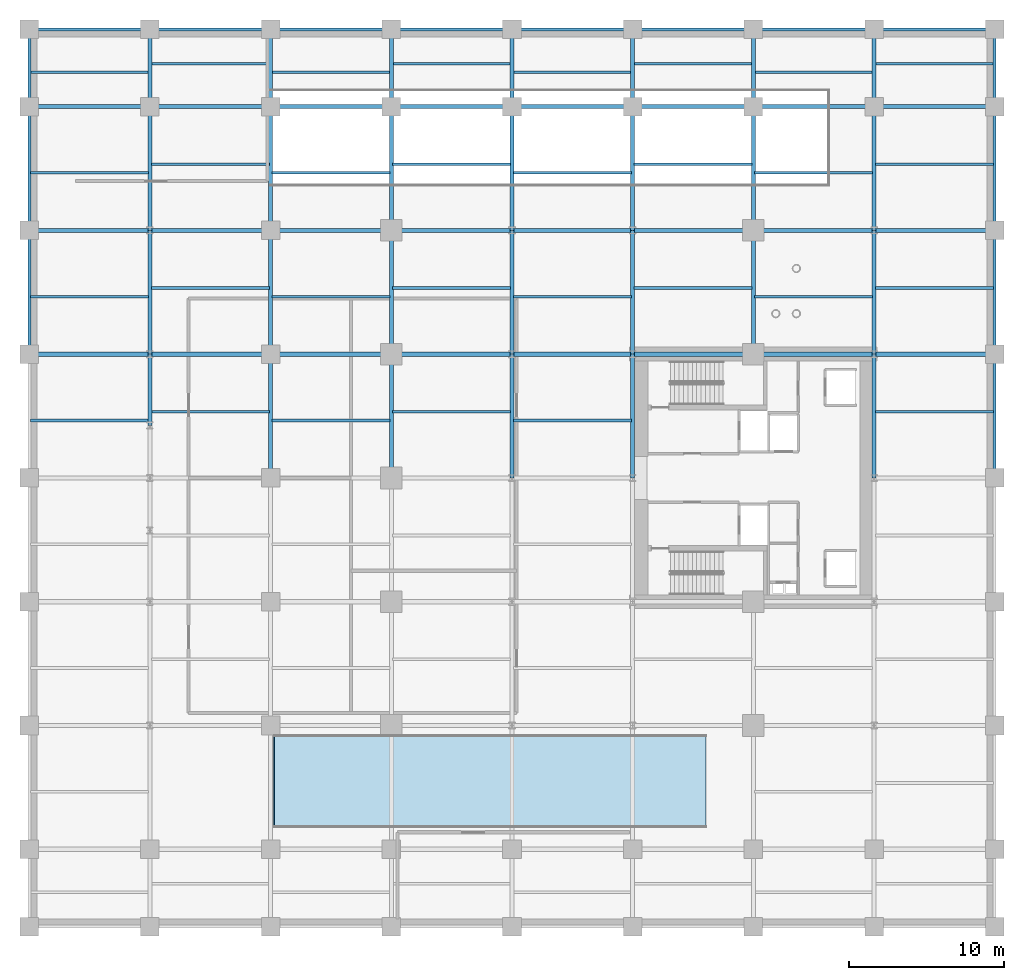
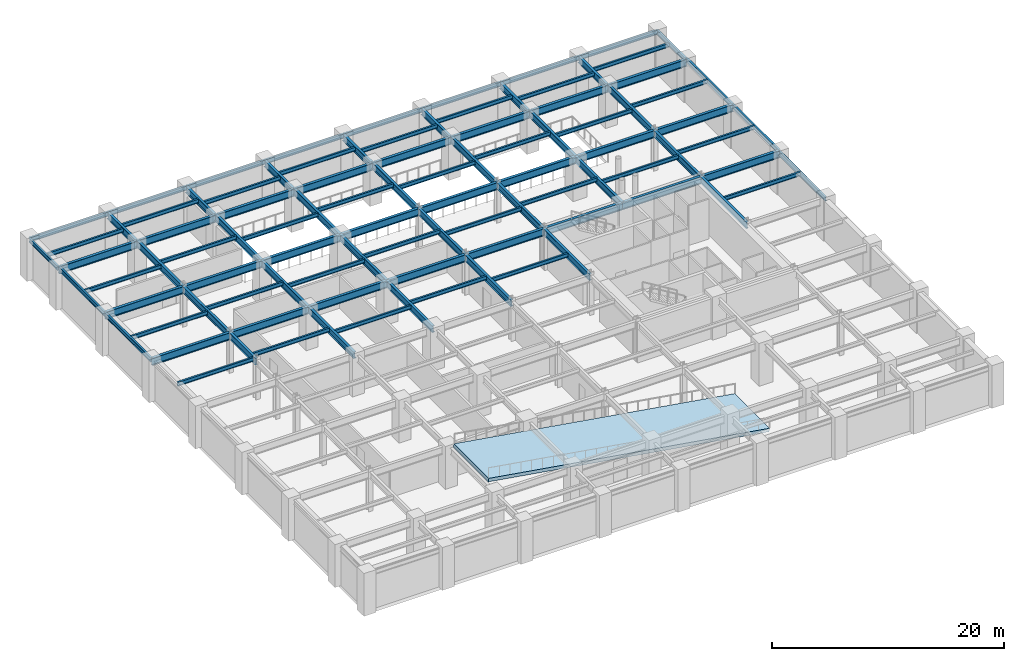
# One storey, part 4 of 10: 96 beams, 1 slab.
"""IFC4 building model written with IfcOpenShell, lengths in metres."""

from ifc_helpers import new_model, si_unit, direction, frame, origin, origin_2d, place, context, subcontext, project, spatial, polyline, i_section, outline, extrude, material, layer, layer_set, material_profile, profile_set, type_object, element, save


model = new_model("IFC4")

# Units and contexts
model_context = context("Model", 3, precision=1e-05, world=origin(), true_north=direction((0.0, 1.0)))
body_context = subcontext(model_context, "Body", "Model", "MODEL_VIEW")
ifc_project = project(units=[si_unit("LENGTHUNIT", "METRE"), si_unit("AREAUNIT", "SQUARE_METRE"), si_unit("VOLUMEUNIT", "CUBIC_METRE"), si_unit("PLANEANGLEUNIT", "RADIAN"), si_unit("MASSUNIT", "GRAM", prefix="KILO")], contexts=[model_context])

# Site, building, storey
site_placement = place(None, origin())
site = spatial("IfcSite", under=ifc_project, at=site_placement, CompositionType="ELEMENT")
building_placement = place(site_placement, origin())
building = spatial("IfcBuilding", under=site, at=building_placement, Name="Veymaron Broadcast Tower", CompositionType="ELEMENT")
storey_placement = place(building_placement, frame((0.0, 0.0, -4.5)))
storey = spatial("IfcBuildingStorey", under=building, at=storey_placement, Name="B1", CompositionType="ELEMENT", Elevation=-4.5)

# Beams
ifc_material_1 = material(Name="Structural steel ASTM A992 Gr 50", Category="steel")
ifc_material_profile_1 = material_profile(ifc_material_1, i_section(OverallWidth=0.177978515625, OverallDepth=0.406982421875, WebThickness=0.0078125, FlangeThickness=0.0126953125, at=origin_2d()), Name="W410X60")
ifc_profile_set_1 = profile_set([ifc_material_profile_1], Name="Structural steel ASTM A992 Gr 50")
beam_type_1 = type_object("IfcBeamType", Name="BM-JS1", PredefinedType="JOIST", material=ifc_profile_set_1)
for number, where, z_axis, x_axis, name in (
    (1, (0.0849609375, 27.719970703125, 3.9765625), (1.0, 0.0, 0.0), (0.0, 1.0, 0.0), "B1 podium secondary floor joist"),
    (2, (0.0849609375, 35.719970703125, 3.9765625), (1.0, 0.0, 0.0), (0.0, 1.0, 0.0), "B1 podium secondary floor joist"),
    (3, (0.0849609375, 43.719970703125, 3.9765625), (1.0, 0.0, 0.0), (0.0, 1.0, 0.0), "B1 podium secondary floor joist"),
    (4, (0.0849609375, 50.219970703125, 3.87646484375), (1.0, 0.0, 0.0), (0.0, 1.0, 0.0), "B1 podium secondary floor joist"),
):
    element("IfcBeam", number, at=place(storey_placement, frame(where, z_axis=z_axis, x_axis=x_axis)), inside=storey, type_object=beam_type_1, Name=name, PredefinedType="JOIST", context=body_context, shape_type="SweptSolid", body=[
        extrude(i_section(OverallWidth=0.177978515625, OverallDepth=0.406982421875, WebThickness=0.0078125, FlangeThickness=0.0126953125, at=origin_2d()), origin(), (0.0, 0.0, 1.0), 7.630126953125),
    ])
for number, where, z_axis, x_axis, name in (
    (5, (7.885009765625, 28.280029296875, 3.9765625), (1.0, 0.0, 0.0), (0.0, 1.0, 0.0), "B1 podium secondary floor joist"),
    (6, (7.885009765625, 36.280029296875, 3.9765625), (1.0, 0.0, 0.0), (0.0, 1.0, 0.0), "B1 podium secondary floor joist"),
    (7, (7.885009765625, 44.280029296875, 3.9765625), (1.0, 0.0, 0.0), (0.0, 1.0, 0.0), "B1 podium secondary floor joist"),
    (8, (7.885009765625, 50.780029296875, 3.87646484375), (1.0, 0.0, 0.0), (0.0, 1.0, 0.0), "B1 podium secondary floor joist"),
    (9, (15.68505859375, 27.719970703125, 3.9765625), (1.0, 0.0, 0.0), (0.0, 1.0, 0.0), "B1 podium secondary floor joist"),
    (10, (15.68505859375, 35.719970703125, 3.9765625), (1.0, 0.0, 0.0), (0.0, 1.0, 0.0), "B1 podium secondary floor joist"),
    (11, (15.68505859375, 43.719970703125, 3.9765625), (1.0, 0.0, 0.0), (0.0, 1.0, 0.0), "B1 podium secondary floor joist"),
    (12, (15.68505859375, 50.219970703125, 3.87646484375), (1.0, 0.0, 0.0), (0.0, 1.0, 0.0), "B1 podium secondary floor joist"),
    (13, (23.485107421875, 28.280029296875, 3.9765625), (1.0, 0.0, 0.0), (0.0, 1.0, 0.0), "B1 podium secondary floor joist"),
    (14, (23.485107421875, 36.280029296875, 3.9765625), (1.0, 0.0, 0.0), (0.0, 1.0, 0.0), "B1 podium secondary floor joist"),
    (15, (23.485107421875, 44.280029296875, 3.9765625), (1.0, 0.0, 0.0), (0.0, 1.0, 0.0), "B1 podium secondary floor joist"),
    (16, (23.485107421875, 50.780029296875, 3.87646484375), (1.0, 0.0, 0.0), (0.0, 1.0, 0.0), "B1 podium secondary floor joist"),
):
    element("IfcBeam", number, at=place(storey_placement, frame(where, z_axis=z_axis, x_axis=x_axis)), inside=storey, type_object=beam_type_1, Name=name, PredefinedType="JOIST", context=body_context, shape_type="SweptSolid", body=[
        extrude(i_section(OverallWidth=0.177978515625, OverallDepth=0.406982421875, WebThickness=0.0078125, FlangeThickness=0.0126953125, at=origin_2d()), origin(), (0.0, 0.0, 1.0), 7.6298828125),
    ])
for number, where, z_axis, x_axis, name in (
    (17, (31.284912109375, 27.719970703125, 3.9765625), (1.0, 0.0, 0.0), (0.0, 1.0, 0.0), "B1 podium secondary floor joist"),
    (18, (31.284912109375, 35.719970703125, 3.9765625), (1.0, 0.0, 0.0), (0.0, 1.0, 0.0), "B1 podium secondary floor joist"),
    (19, (31.284912109375, 43.719970703125, 3.9765625), (1.0, 0.0, 0.0), (0.0, 1.0, 0.0), "B1 podium secondary floor joist"),
    (20, (31.284912109375, 50.219970703125, 3.87646484375), (1.0, 0.0, 0.0), (0.0, 1.0, 0.0), "B1 podium secondary floor joist"),
    (21, (39.0849609375, 36.280029296875, 3.9765625), (1.0, 0.0, 0.0), (0.0, 1.0, 0.0), "B1 podium secondary floor joist"),
    (22, (39.0849609375, 44.280029296875, 3.9765625), (1.0, 0.0, 0.0), (0.0, 1.0, 0.0), "B1 podium secondary floor joist"),
    (23, (39.0849609375, 50.780029296875, 3.87646484375), (1.0, 0.0, 0.0), (0.0, 1.0, 0.0), "B1 podium secondary floor joist"),
):
    element("IfcBeam", number, at=place(storey_placement, frame(where, z_axis=z_axis, x_axis=x_axis)), inside=storey, type_object=beam_type_1, Name=name, PredefinedType="JOIST", context=body_context, shape_type="SweptSolid", body=[
        extrude(i_section(OverallWidth=0.177978515625, OverallDepth=0.406982421875, WebThickness=0.0078125, FlangeThickness=0.0126953125, at=origin_2d()), origin(), (0.0, 0.0, 1.0), 7.630126953125),
    ])
for number, where, z_axis, x_axis, name in (
    (24, (46.885009765625, 35.719970703125, 3.9765625), (1.0, 0.0, 0.0), (0.0, 1.0, 0.0), "B1 podium secondary floor joist"),
    (25, (46.885009765625, 43.719970703125, 3.9765625), (1.0, 0.0, 0.0), (0.0, 1.0, 0.0), "B1 podium secondary floor joist"),
    (26, (46.885009765625, 50.219970703125, 3.87646484375), (1.0, 0.0, 0.0), (0.0, 1.0, 0.0), "B1 podium secondary floor joist"),
    (27, (54.68505859375, 28.280029296875, 3.9765625), (1.0, 0.0, 0.0), (0.0, 1.0, 0.0), "B1 podium secondary floor joist"),
    (28, (54.68505859375, 36.280029296875, 3.9765625), (1.0, 0.0, 0.0), (0.0, 1.0, 0.0), "B1 podium secondary floor joist"),
    (29, (54.68505859375, 44.280029296875, 3.9765625), (1.0, 0.0, 0.0), (0.0, 1.0, 0.0), "B1 podium secondary floor joist"),
    (30, (54.68505859375, 50.780029296875, 3.87646484375), (1.0, 0.0, 0.0), (0.0, 1.0, 0.0), "B1 podium secondary floor joist"),
):
    element("IfcBeam", number, at=place(storey_placement, frame(where, z_axis=z_axis, x_axis=x_axis)), inside=storey, type_object=beam_type_1, Name=name, PredefinedType="JOIST", context=body_context, shape_type="SweptSolid", body=[
        extrude(i_section(OverallWidth=0.177978515625, OverallDepth=0.406982421875, WebThickness=0.0078125, FlangeThickness=0.0126953125, at=origin_2d()), origin(), (0.0, 0.0, 1.0), 7.6298828125),
    ])
ifc_material_profile_2 = material_profile(ifc_material_1, i_section(OverallWidth=0.26806640625, OverallDepth=0.77001953125, WebThickness=0.015625, FlangeThickness=0.025390625, at=origin_2d()), Name="W760X196")
ifc_profile_set_2 = profile_set([ifc_material_profile_2], Name="Structural steel ASTM A992 Gr 50")
beam_type_2 = type_object("IfcBeamType", Name="BM-PG1", PredefinedType="BEAM", material=ifc_profile_set_2)
for number, where, z_axis, x_axis, name in (
    (31, (0.0, 32.0, 3.794921875), (1.0, 0.0, 0.0), (0.0, 1.0, 0.0), "B1 podium primary X-girder"),
    (32, (7.800048828125, 32.0, 3.794921875), (1.0, 0.0, 0.0), (0.0, 1.0, 0.0), "B1 podium primary X-girder"),
):
    element("IfcBeam", number, at=place(storey_placement, frame(where, z_axis=z_axis, x_axis=x_axis)), inside=storey, type_object=beam_type_2, Name=name, PredefinedType="BEAM", context=body_context, shape_type="SweptSolid", body=[
        extrude(i_section(OverallWidth=0.26806640625, OverallDepth=0.77001953125, WebThickness=0.015625, FlangeThickness=0.025390625, at=origin_2d()), origin(), (0.0, 0.0, 1.0), 7.800048828125),
    ])
beam_1_placement = place(storey_placement, frame((15.60009765625, 32.0, 3.794921875), z_axis=(1.0, 0.0, 0.0), x_axis=(0.0, 1.0, 0.0)))
element("IfcBeam", 33, at=beam_1_placement, inside=storey, type_object=beam_type_2, Name="B1 podium primary X-girder", PredefinedType="BEAM", context=body_context, shape_type="SweptSolid", body=[
    extrude(i_section(OverallWidth=0.26806640625, OverallDepth=0.77001953125, WebThickness=0.015625, FlangeThickness=0.025390625, at=origin_2d()), origin(), (0.0, 0.0, 1.0), 7.7998046875),
])
for number, where, z_axis, x_axis, name in (
    (34, (23.39990234375, 32.0, 3.794921875), (1.0, 0.0, 0.0), (0.0, 1.0, 0.0), "B1 podium primary X-girder"),
    (35, (31.199951171875, 32.0, 3.794921875), (1.0, 0.0, 0.0), (0.0, 1.0, 0.0), "B1 podium primary X-girder"),
    (36, (39.0, 32.0, 3.794921875), (1.0, 0.0, 0.0), (0.0, 1.0, 0.0), "B1 podium primary X-girder"),
    (37, (46.800048828125, 32.0, 3.794921875), (1.0, 0.0, 0.0), (0.0, 1.0, 0.0), "B1 podium primary X-girder"),
):
    element("IfcBeam", number, at=place(storey_placement, frame(where, z_axis=z_axis, x_axis=x_axis)), inside=storey, type_object=beam_type_2, Name=name, PredefinedType="BEAM", context=body_context, shape_type="SweptSolid", body=[
        extrude(i_section(OverallWidth=0.26806640625, OverallDepth=0.77001953125, WebThickness=0.015625, FlangeThickness=0.025390625, at=origin_2d()), origin(), (0.0, 0.0, 1.0), 7.800048828125),
    ])
beam_2_placement = place(storey_placement, frame((54.60009765625, 32.0, 3.794921875), z_axis=(1.0, 0.0, 0.0), x_axis=(0.0, 1.0, 0.0)))
element("IfcBeam", 38, at=beam_2_placement, inside=storey, type_object=beam_type_2, Name="B1 podium primary X-girder", PredefinedType="BEAM", context=body_context, shape_type="SweptSolid", body=[
    extrude(i_section(OverallWidth=0.26806640625, OverallDepth=0.77001953125, WebThickness=0.015625, FlangeThickness=0.025390625, at=origin_2d()), origin(), (0.0, 0.0, 1.0), 7.7998046875),
])
for number, where, z_axis, x_axis, name in (
    (39, (0.0, 40.0, 3.794921875), (1.0, 0.0, 0.0), (0.0, 1.0, 0.0), "B1 podium primary X-girder"),
    (40, (7.800048828125, 40.0, 3.794921875), (1.0, 0.0, 0.0), (0.0, 1.0, 0.0), "B1 podium primary X-girder"),
):
    element("IfcBeam", number, at=place(storey_placement, frame(where, z_axis=z_axis, x_axis=x_axis)), inside=storey, type_object=beam_type_2, Name=name, PredefinedType="BEAM", context=body_context, shape_type="SweptSolid", body=[
        extrude(i_section(OverallWidth=0.26806640625, OverallDepth=0.77001953125, WebThickness=0.015625, FlangeThickness=0.025390625, at=origin_2d()), origin(), (0.0, 0.0, 1.0), 7.800048828125),
    ])
beam_3_placement = place(storey_placement, frame((15.60009765625, 40.0, 3.794921875), z_axis=(1.0, 0.0, 0.0), x_axis=(0.0, 1.0, 0.0)))
element("IfcBeam", 41, at=beam_3_placement, inside=storey, type_object=beam_type_2, Name="B1 podium primary X-girder", PredefinedType="BEAM", context=body_context, shape_type="SweptSolid", body=[
    extrude(i_section(OverallWidth=0.26806640625, OverallDepth=0.77001953125, WebThickness=0.015625, FlangeThickness=0.025390625, at=origin_2d()), origin(), (0.0, 0.0, 1.0), 7.7998046875),
])
for number, where, z_axis, x_axis, name in (
    (42, (23.39990234375, 40.0, 3.794921875), (1.0, 0.0, 0.0), (0.0, 1.0, 0.0), "B1 podium primary X-girder"),
    (43, (31.199951171875, 40.0, 3.794921875), (1.0, 0.0, 0.0), (0.0, 1.0, 0.0), "B1 podium primary X-girder"),
    (44, (39.0, 40.0, 3.794921875), (1.0, 0.0, 0.0), (0.0, 1.0, 0.0), "B1 podium primary X-girder"),
    (45, (46.800048828125, 40.0, 3.794921875), (1.0, 0.0, 0.0), (0.0, 1.0, 0.0), "B1 podium primary X-girder"),
):
    element("IfcBeam", number, at=place(storey_placement, frame(where, z_axis=z_axis, x_axis=x_axis)), inside=storey, type_object=beam_type_2, Name=name, PredefinedType="BEAM", context=body_context, shape_type="SweptSolid", body=[
        extrude(i_section(OverallWidth=0.26806640625, OverallDepth=0.77001953125, WebThickness=0.015625, FlangeThickness=0.025390625, at=origin_2d()), origin(), (0.0, 0.0, 1.0), 7.800048828125),
    ])
beam_4_placement = place(storey_placement, frame((54.60009765625, 40.0, 3.794921875), z_axis=(1.0, 0.0, 0.0), x_axis=(0.0, 1.0, 0.0)))
element("IfcBeam", 46, at=beam_4_placement, inside=storey, type_object=beam_type_2, Name="B1 podium primary X-girder", PredefinedType="BEAM", context=body_context, shape_type="SweptSolid", body=[
    extrude(i_section(OverallWidth=0.26806640625, OverallDepth=0.77001953125, WebThickness=0.015625, FlangeThickness=0.025390625, at=origin_2d()), origin(), (0.0, 0.0, 1.0), 7.7998046875),
])
for number, where, z_axis, x_axis, name in (
    (47, (0.0, 48.0, 3.695068359375), (1.0, 0.0, 0.0), (0.0, 1.0, 0.0), "B1 podium primary X-girder"),
    (48, (7.800048828125, 48.0, 3.695068359375), (1.0, 0.0, 0.0), (0.0, 1.0, 0.0), "B1 podium primary X-girder"),
):
    element("IfcBeam", number, at=place(storey_placement, frame(where, z_axis=z_axis, x_axis=x_axis)), inside=storey, type_object=beam_type_2, Name=name, PredefinedType="BEAM", context=body_context, shape_type="SweptSolid", body=[
        extrude(i_section(OverallWidth=0.26806640625, OverallDepth=0.77001953125, WebThickness=0.015625, FlangeThickness=0.025390625, at=origin_2d()), origin(), (0.0, 0.0, 1.0), 7.800048828125),
    ])
beam_5_placement = place(storey_placement, frame((15.60009765625, 48.0, 3.695068359375), z_axis=(1.0, 0.0, 0.0), x_axis=(0.0, 1.0, 0.0)))
element("IfcBeam", 49, at=beam_5_placement, inside=storey, type_object=beam_type_2, Name="B1 podium primary X-girder", PredefinedType="BEAM", context=body_context, shape_type="SweptSolid", body=[
    extrude(i_section(OverallWidth=0.26806640625, OverallDepth=0.77001953125, WebThickness=0.015625, FlangeThickness=0.025390625, at=origin_2d()), origin(), (0.0, 0.0, 1.0), 7.7998046875),
])
for number, where, z_axis, x_axis, name in (
    (50, (23.39990234375, 48.0, 3.695068359375), (1.0, 0.0, 0.0), (0.0, 1.0, 0.0), "B1 podium primary X-girder"),
    (51, (31.199951171875, 48.0, 3.695068359375), (1.0, 0.0, 0.0), (0.0, 1.0, 0.0), "B1 podium primary X-girder"),
    (52, (39.0, 48.0, 3.695068359375), (1.0, 0.0, 0.0), (0.0, 1.0, 0.0), "B1 podium primary X-girder"),
    (53, (46.800048828125, 48.0, 3.695068359375), (1.0, 0.0, 0.0), (0.0, 1.0, 0.0), "B1 podium primary X-girder"),
):
    element("IfcBeam", number, at=place(storey_placement, frame(where, z_axis=z_axis, x_axis=x_axis)), inside=storey, type_object=beam_type_2, Name=name, PredefinedType="BEAM", context=body_context, shape_type="SweptSolid", body=[
        extrude(i_section(OverallWidth=0.26806640625, OverallDepth=0.77001953125, WebThickness=0.015625, FlangeThickness=0.025390625, at=origin_2d()), origin(), (0.0, 0.0, 1.0), 7.800048828125),
    ])
beam_6_placement = place(storey_placement, frame((54.60009765625, 48.0, 3.695068359375), z_axis=(1.0, 0.0, 0.0), x_axis=(0.0, 1.0, 0.0)))
element("IfcBeam", 54, at=beam_6_placement, inside=storey, type_object=beam_type_2, Name="B1 podium primary X-girder", PredefinedType="BEAM", context=body_context, shape_type="SweptSolid", body=[
    extrude(i_section(OverallWidth=0.26806640625, OverallDepth=0.77001953125, WebThickness=0.015625, FlangeThickness=0.025390625, at=origin_2d()), origin(), (0.0, 0.0, 1.0), 7.7998046875),
])
ifc_material_profile_3 = material_profile(ifc_material_1, i_section(OverallWidth=0.256103515625, OverallDepth=0.693115234375, WebThickness=0.014404296875, FlangeThickness=0.023681640625, at=origin_2d()), Name="W690X170")
ifc_profile_set_3 = profile_set([ifc_material_profile_3], Name="Structural steel ASTM A992 Gr 50")
beam_type_3 = type_object("IfcBeamType", Name="BM-PG2", PredefinedType="BEAM", material=ifc_profile_set_3)
beam_7_placement = place(storey_placement, frame((7.800048828125, 27.39990234375, 3.83349609375), z_axis=(0.0, 1.0, 0.0), x_axis=(-1.0, 0.0, 0.0)))
element("IfcBeam", 55, at=beam_7_placement, inside=storey, type_object=beam_type_3, Name="B1 podium primary Y-girder", PredefinedType="BEAM", context=body_context, shape_type="SweptSolid", body=[
    extrude(i_section(OverallWidth=0.256103515625, OverallDepth=0.693115234375, WebThickness=0.014404296875, FlangeThickness=0.023681640625, at=origin_2d()), origin(), (0.0, 0.0, 1.0), 4.60009765625),
])
for number, where, z_axis, x_axis, name in (
    (56, (7.800048828125, 32.0, 3.83349609375), (0.0, 1.0, 0.0), (-1.0, 0.0, 0.0), "B1 podium primary Y-girder"),
    (57, (7.800048828125, 40.0, 3.83349609375), (0.0, 1.0, 0.0), (-1.0, 0.0, 0.0), "B1 podium primary Y-girder"),
):
    element("IfcBeam", number, at=place(storey_placement, frame(where, z_axis=z_axis, x_axis=x_axis)), inside=storey, type_object=beam_type_3, Name=name, PredefinedType="BEAM", context=body_context, shape_type="SweptSolid", body=[
        extrude(i_section(OverallWidth=0.256103515625, OverallDepth=0.693115234375, WebThickness=0.014404296875, FlangeThickness=0.023681640625, at=origin_2d()), origin(), (0.0, 0.0, 1.0), 8.0),
    ])
beam_8_placement = place(storey_placement, frame((7.800048828125, 48.0, 3.7333984375), z_axis=(0.0, 1.0, 0.0), x_axis=(-1.0, 0.0, 0.0)))
element("IfcBeam", 58, at=beam_8_placement, inside=storey, type_object=beam_type_3, Name="B1 podium primary Y-girder", PredefinedType="BEAM", context=body_context, shape_type="SweptSolid", body=[
    extrude(i_section(OverallWidth=0.256103515625, OverallDepth=0.693115234375, WebThickness=0.014404296875, FlangeThickness=0.023681640625, at=origin_2d()), origin(), (0.0, 0.0, 1.0), 5.0),
])
for number, where, z_axis, x_axis, name in (
    (59, (15.60009765625, 24.0, 3.83349609375), (0.0, 1.0, 0.0), (-1.0, 0.0, 0.0), "B1 podium primary Y-girder"),
    (60, (15.60009765625, 32.0, 3.83349609375), (0.0, 1.0, 0.0), (-1.0, 0.0, 0.0), "B1 podium primary Y-girder"),
    (61, (15.60009765625, 40.0, 3.83349609375), (0.0, 1.0, 0.0), (-1.0, 0.0, 0.0), "B1 podium primary Y-girder"),
):
    element("IfcBeam", number, at=place(storey_placement, frame(where, z_axis=z_axis, x_axis=x_axis)), inside=storey, type_object=beam_type_3, Name=name, PredefinedType="BEAM", context=body_context, shape_type="SweptSolid", body=[
        extrude(i_section(OverallWidth=0.256103515625, OverallDepth=0.693115234375, WebThickness=0.014404296875, FlangeThickness=0.023681640625, at=origin_2d()), origin(), (0.0, 0.0, 1.0), 8.0),
    ])
beam_9_placement = place(storey_placement, frame((15.60009765625, 48.0, 3.7333984375), z_axis=(0.0, 1.0, 0.0), x_axis=(-1.0, 0.0, 0.0)))
element("IfcBeam", 62, at=beam_9_placement, inside=storey, type_object=beam_type_3, Name="B1 podium primary Y-girder", PredefinedType="BEAM", context=body_context, shape_type="SweptSolid", body=[
    extrude(i_section(OverallWidth=0.256103515625, OverallDepth=0.693115234375, WebThickness=0.014404296875, FlangeThickness=0.023681640625, at=origin_2d()), origin(), (0.0, 0.0, 1.0), 5.0),
])
for number, where, z_axis, x_axis, name in (
    (63, (23.39990234375, 24.0, 3.83349609375), (0.0, 1.0, 0.0), (-1.0, 0.0, 0.0), "B1 podium primary Y-girder"),
    (64, (23.39990234375, 32.0, 3.83349609375), (0.0, 1.0, 0.0), (-1.0, 0.0, 0.0), "B1 podium primary Y-girder"),
    (65, (23.39990234375, 40.0, 3.83349609375), (0.0, 1.0, 0.0), (-1.0, 0.0, 0.0), "B1 podium primary Y-girder"),
):
    element("IfcBeam", number, at=place(storey_placement, frame(where, z_axis=z_axis, x_axis=x_axis)), inside=storey, type_object=beam_type_3, Name=name, PredefinedType="BEAM", context=body_context, shape_type="SweptSolid", body=[
        extrude(i_section(OverallWidth=0.256103515625, OverallDepth=0.693115234375, WebThickness=0.014404296875, FlangeThickness=0.023681640625, at=origin_2d()), origin(), (0.0, 0.0, 1.0), 8.0),
    ])
beam_10_placement = place(storey_placement, frame((23.39990234375, 48.0, 3.7333984375), z_axis=(0.0, 1.0, 0.0), x_axis=(-1.0, 0.0, 0.0)))
element("IfcBeam", 66, at=beam_10_placement, inside=storey, type_object=beam_type_3, Name="B1 podium primary Y-girder", PredefinedType="BEAM", context=body_context, shape_type="SweptSolid", body=[
    extrude(i_section(OverallWidth=0.256103515625, OverallDepth=0.693115234375, WebThickness=0.014404296875, FlangeThickness=0.023681640625, at=origin_2d()), origin(), (0.0, 0.0, 1.0), 5.0),
])
for number, where, z_axis, x_axis, name in (
    (67, (31.199951171875, 24.0, 3.83349609375), (0.0, 1.0, 0.0), (-1.0, 0.0, 0.0), "B1 podium primary Y-girder"),
    (68, (31.199951171875, 32.0, 3.83349609375), (0.0, 1.0, 0.0), (-1.0, 0.0, 0.0), "B1 podium primary Y-girder"),
    (69, (31.199951171875, 40.0, 3.83349609375), (0.0, 1.0, 0.0), (-1.0, 0.0, 0.0), "B1 podium primary Y-girder"),
):
    element("IfcBeam", number, at=place(storey_placement, frame(where, z_axis=z_axis, x_axis=x_axis)), inside=storey, type_object=beam_type_3, Name=name, PredefinedType="BEAM", context=body_context, shape_type="SweptSolid", body=[
        extrude(i_section(OverallWidth=0.256103515625, OverallDepth=0.693115234375, WebThickness=0.014404296875, FlangeThickness=0.023681640625, at=origin_2d()), origin(), (0.0, 0.0, 1.0), 8.0),
    ])
beam_11_placement = place(storey_placement, frame((31.199951171875, 48.0, 3.7333984375), z_axis=(0.0, 1.0, 0.0), x_axis=(-1.0, 0.0, 0.0)))
element("IfcBeam", 70, at=beam_11_placement, inside=storey, type_object=beam_type_3, Name="B1 podium primary Y-girder", PredefinedType="BEAM", context=body_context, shape_type="SweptSolid", body=[
    extrude(i_section(OverallWidth=0.256103515625, OverallDepth=0.693115234375, WebThickness=0.014404296875, FlangeThickness=0.023681640625, at=origin_2d()), origin(), (0.0, 0.0, 1.0), 5.0),
])
for number, where, z_axis, x_axis, name in (
    (71, (39.0, 24.0, 3.83349609375), (0.0, 1.0, 0.0), (-1.0, 0.0, 0.0), "B1 podium primary Y-girder"),
    (72, (39.0, 32.0, 3.83349609375), (0.0, 1.0, 0.0), (-1.0, 0.0, 0.0), "B1 podium primary Y-girder"),
    (73, (39.0, 40.0, 3.83349609375), (0.0, 1.0, 0.0), (-1.0, 0.0, 0.0), "B1 podium primary Y-girder"),
):
    element("IfcBeam", number, at=place(storey_placement, frame(where, z_axis=z_axis, x_axis=x_axis)), inside=storey, type_object=beam_type_3, Name=name, PredefinedType="BEAM", context=body_context, shape_type="SweptSolid", body=[
        extrude(i_section(OverallWidth=0.256103515625, OverallDepth=0.693115234375, WebThickness=0.014404296875, FlangeThickness=0.023681640625, at=origin_2d()), origin(), (0.0, 0.0, 1.0), 8.0),
    ])
beam_12_placement = place(storey_placement, frame((39.0, 48.0, 3.7333984375), z_axis=(0.0, 1.0, 0.0), x_axis=(-1.0, 0.0, 0.0)))
element("IfcBeam", 74, at=beam_12_placement, inside=storey, type_object=beam_type_3, Name="B1 podium primary Y-girder", PredefinedType="BEAM", context=body_context, shape_type="SweptSolid", body=[
    extrude(i_section(OverallWidth=0.256103515625, OverallDepth=0.693115234375, WebThickness=0.014404296875, FlangeThickness=0.023681640625, at=origin_2d()), origin(), (0.0, 0.0, 1.0), 5.0),
])
for number, where, z_axis, x_axis, name in (
    (75, (46.800048828125, 32.0, 3.83349609375), (0.0, 1.0, 0.0), (-1.0, 0.0, 0.0), "B1 podium primary Y-girder"),
    (76, (46.800048828125, 40.0, 3.83349609375), (0.0, 1.0, 0.0), (-1.0, 0.0, 0.0), "B1 podium primary Y-girder"),
):
    element("IfcBeam", number, at=place(storey_placement, frame(where, z_axis=z_axis, x_axis=x_axis)), inside=storey, type_object=beam_type_3, Name=name, PredefinedType="BEAM", context=body_context, shape_type="SweptSolid", body=[
        extrude(i_section(OverallWidth=0.256103515625, OverallDepth=0.693115234375, WebThickness=0.014404296875, FlangeThickness=0.023681640625, at=origin_2d()), origin(), (0.0, 0.0, 1.0), 8.0),
    ])
beam_13_placement = place(storey_placement, frame((46.800048828125, 48.0, 3.7333984375), z_axis=(0.0, 1.0, 0.0), x_axis=(-1.0, 0.0, 0.0)))
element("IfcBeam", 77, at=beam_13_placement, inside=storey, type_object=beam_type_3, Name="B1 podium primary Y-girder", PredefinedType="BEAM", context=body_context, shape_type="SweptSolid", body=[
    extrude(i_section(OverallWidth=0.256103515625, OverallDepth=0.693115234375, WebThickness=0.014404296875, FlangeThickness=0.023681640625, at=origin_2d()), origin(), (0.0, 0.0, 1.0), 5.0),
])
for number, where, z_axis, x_axis, name in (
    (78, (54.60009765625, 24.0, 3.83349609375), (0.0, 1.0, 0.0), (-1.0, 0.0, 0.0), "B1 podium primary Y-girder"),
    (79, (54.60009765625, 32.0, 3.83349609375), (0.0, 1.0, 0.0), (-1.0, 0.0, 0.0), "B1 podium primary Y-girder"),
    (80, (54.60009765625, 40.0, 3.83349609375), (0.0, 1.0, 0.0), (-1.0, 0.0, 0.0), "B1 podium primary Y-girder"),
):
    element("IfcBeam", number, at=place(storey_placement, frame(where, z_axis=z_axis, x_axis=x_axis)), inside=storey, type_object=beam_type_3, Name=name, PredefinedType="BEAM", context=body_context, shape_type="SweptSolid", body=[
        extrude(i_section(OverallWidth=0.256103515625, OverallDepth=0.693115234375, WebThickness=0.014404296875, FlangeThickness=0.023681640625, at=origin_2d()), origin(), (0.0, 0.0, 1.0), 8.0),
    ])
beam_14_placement = place(storey_placement, frame((54.60009765625, 48.0, 3.7333984375), z_axis=(0.0, 1.0, 0.0), x_axis=(-1.0, 0.0, 0.0)))
element("IfcBeam", 81, at=beam_14_placement, inside=storey, type_object=beam_type_3, Name="B1 podium primary Y-girder", PredefinedType="BEAM", context=body_context, shape_type="SweptSolid", body=[
    extrude(i_section(OverallWidth=0.256103515625, OverallDepth=0.693115234375, WebThickness=0.014404296875, FlangeThickness=0.023681640625, at=origin_2d()), origin(), (0.0, 0.0, 1.0), 5.0),
])
ifc_material_profile_4 = material_profile(ifc_material_1, i_section(OverallWidth=0.19091796875, OverallDepth=0.4599609375, WebThickness=0.010009765625, FlangeThickness=0.01611328125, at=origin_2d()), Name="W460X82")
ifc_profile_set_4 = profile_set([ifc_material_profile_4], Name="Structural steel ASTM A992 Gr 50")
beam_type_4 = type_object("IfcBeamType", Name="BM-SP1", PredefinedType="SPANDREL", material=ifc_profile_set_4)
for number, where, z_axis, x_axis, name in (
    (82, (0.0, 53.0, 3.85009765625), (1.0, 0.0, 0.0), (0.0, 1.0, 0.0), "B1 podium primary X-girder"),
    (83, (7.800048828125, 53.0, 3.85009765625), (1.0, 0.0, 0.0), (0.0, 1.0, 0.0), "B1 podium primary X-girder"),
):
    element("IfcBeam", number, at=place(storey_placement, frame(where, z_axis=z_axis, x_axis=x_axis)), inside=storey, type_object=beam_type_4, Name=name, PredefinedType="SPANDREL", context=body_context, shape_type="SweptSolid", body=[
        extrude(i_section(OverallWidth=0.19091796875, OverallDepth=0.4599609375, WebThickness=0.010009765625, FlangeThickness=0.01611328125, at=origin_2d()), origin(), (0.0, 0.0, 1.0), 7.800048828125),
    ])
beam_15_placement = place(storey_placement, frame((15.60009765625, 53.0, 3.85009765625), z_axis=(1.0, 0.0, 0.0), x_axis=(0.0, 1.0, 0.0)))
element("IfcBeam", 84, at=beam_15_placement, inside=storey, type_object=beam_type_4, Name="B1 podium primary X-girder", PredefinedType="SPANDREL", context=body_context, shape_type="SweptSolid", body=[
    extrude(i_section(OverallWidth=0.19091796875, OverallDepth=0.4599609375, WebThickness=0.010009765625, FlangeThickness=0.01611328125, at=origin_2d()), origin(), (0.0, 0.0, 1.0), 7.7998046875),
])
for number, where, z_axis, x_axis, name in (
    (85, (23.39990234375, 53.0, 3.85009765625), (1.0, 0.0, 0.0), (0.0, 1.0, 0.0), "B1 podium primary X-girder"),
    (86, (31.199951171875, 53.0, 3.85009765625), (1.0, 0.0, 0.0), (0.0, 1.0, 0.0), "B1 podium primary X-girder"),
    (87, (39.0, 53.0, 3.85009765625), (1.0, 0.0, 0.0), (0.0, 1.0, 0.0), "B1 podium primary X-girder"),
    (88, (46.800048828125, 53.0, 3.85009765625), (1.0, 0.0, 0.0), (0.0, 1.0, 0.0), "B1 podium primary X-girder"),
):
    element("IfcBeam", number, at=place(storey_placement, frame(where, z_axis=z_axis, x_axis=x_axis)), inside=storey, type_object=beam_type_4, Name=name, PredefinedType="SPANDREL", context=body_context, shape_type="SweptSolid", body=[
        extrude(i_section(OverallWidth=0.19091796875, OverallDepth=0.4599609375, WebThickness=0.010009765625, FlangeThickness=0.01611328125, at=origin_2d()), origin(), (0.0, 0.0, 1.0), 7.800048828125),
    ])
beam_16_placement = place(storey_placement, frame((54.60009765625, 53.0, 3.85009765625), z_axis=(1.0, 0.0, 0.0), x_axis=(0.0, 1.0, 0.0)))
element("IfcBeam", 89, at=beam_16_placement, inside=storey, type_object=beam_type_4, Name="B1 podium primary X-girder", PredefinedType="SPANDREL", context=body_context, shape_type="SweptSolid", body=[
    extrude(i_section(OverallWidth=0.19091796875, OverallDepth=0.4599609375, WebThickness=0.010009765625, FlangeThickness=0.01611328125, at=origin_2d()), origin(), (0.0, 0.0, 1.0), 7.7998046875),
])
for number, where, z_axis, x_axis, name in (
    (90, (0.0, 32.0, 3.949951171875), (0.0, 1.0, 0.0), (-1.0, 0.0, 0.0), "B1 podium primary Y-girder"),
    (91, (0.0, 40.0, 3.949951171875), (0.0, 1.0, 0.0), (-1.0, 0.0, 0.0), "B1 podium primary Y-girder"),
):
    element("IfcBeam", number, at=place(storey_placement, frame(where, z_axis=z_axis, x_axis=x_axis)), inside=storey, type_object=beam_type_4, Name=name, PredefinedType="SPANDREL", context=body_context, shape_type="SweptSolid", body=[
        extrude(i_section(OverallWidth=0.19091796875, OverallDepth=0.4599609375, WebThickness=0.010009765625, FlangeThickness=0.01611328125, at=origin_2d()), origin(), (0.0, 0.0, 1.0), 8.0),
    ])
beam_17_placement = place(storey_placement, frame((0.0, 48.0, 3.85009765625), z_axis=(0.0, 1.0, 0.0), x_axis=(-1.0, 0.0, 0.0)))
element("IfcBeam", 92, at=beam_17_placement, inside=storey, type_object=beam_type_4, Name="B1 podium primary Y-girder", PredefinedType="SPANDREL", context=body_context, shape_type="SweptSolid", body=[
    extrude(i_section(OverallWidth=0.19091796875, OverallDepth=0.4599609375, WebThickness=0.010009765625, FlangeThickness=0.01611328125, at=origin_2d()), origin(), (0.0, 0.0, 1.0), 5.0),
])
for number, where, z_axis, x_axis, name in (
    (93, (62.39990234375, 24.0, 3.85009765625), (0.0, 1.0, 0.0), (-1.0, 0.0, 0.0), "B1 podium primary Y-girder"),
    (94, (62.39990234375, 32.0, 3.949951171875), (0.0, 1.0, 0.0), (-1.0, 0.0, 0.0), "B1 podium primary Y-girder"),
    (95, (62.39990234375, 40.0, 3.949951171875), (0.0, 1.0, 0.0), (-1.0, 0.0, 0.0), "B1 podium primary Y-girder"),
):
    element("IfcBeam", number, at=place(storey_placement, frame(where, z_axis=z_axis, x_axis=x_axis)), inside=storey, type_object=beam_type_4, Name=name, PredefinedType="SPANDREL", context=body_context, shape_type="SweptSolid", body=[
        extrude(i_section(OverallWidth=0.19091796875, OverallDepth=0.4599609375, WebThickness=0.010009765625, FlangeThickness=0.01611328125, at=origin_2d()), origin(), (0.0, 0.0, 1.0), 8.0),
    ])
beam_18_placement = place(storey_placement, frame((62.39990234375, 48.0, 3.85009765625), z_axis=(0.0, 1.0, 0.0), x_axis=(-1.0, 0.0, 0.0)))
element("IfcBeam", 96, at=beam_18_placement, inside=storey, type_object=beam_type_4, Name="B1 podium primary Y-girder", PredefinedType="SPANDREL", context=body_context, shape_type="SweptSolid", body=[
    extrude(i_section(OverallWidth=0.19091796875, OverallDepth=0.4599609375, WebThickness=0.010009765625, FlangeThickness=0.01611328125, at=origin_2d()), origin(), (0.0, 0.0, 1.0), 5.0),
])

# Slab
ifc_material_2 = material(Name="Concrete C40/50", Category="concrete")
ifc_layer = layer(ifc_material_2, 0.35009765625)
ifc_layer_set = layer_set([ifc_layer], Name="Concrete C40/50")
slab_type = type_object("IfcSlabType", Name="SLAB-RAMP-VEH", PredefinedType="FLOOR", material=ifc_layer_set)
slab_placement = place(storey_placement, frame((43.75, 1.39990234375, 0.0), z_axis=(0.159232982044, 0.0, 0.987241033096), x_axis=(-0.987241033096, 0.0, 0.159232982044)))
element("IfcSlab", 97, at=slab_placement, inside=storey, type_object=slab_type, Name="Car park structural concrete vehicle ramp slab RMP-2 (B1 to L00 grade)", PredefinedType="FLOOR", context=body_context, shape_type="SweptSolid", body=[
    extrude(outline(polyline([(0.0, 0.0), (28.26047683233223, 0.0), (28.26047683233223, -6.0), (0.0, -6.0), (0.0, 0.0)])), origin(), (0.0, 0.0, -1.0), 0.35009765625),
])

save(model, "model.ifc")
